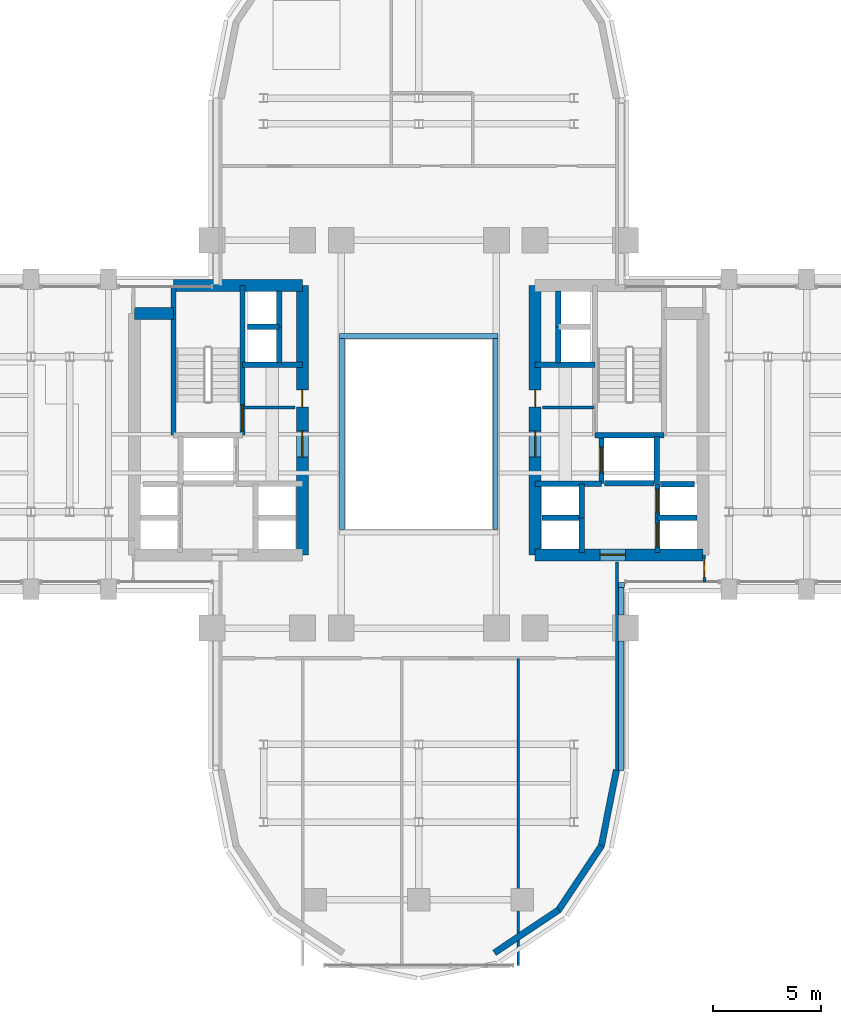
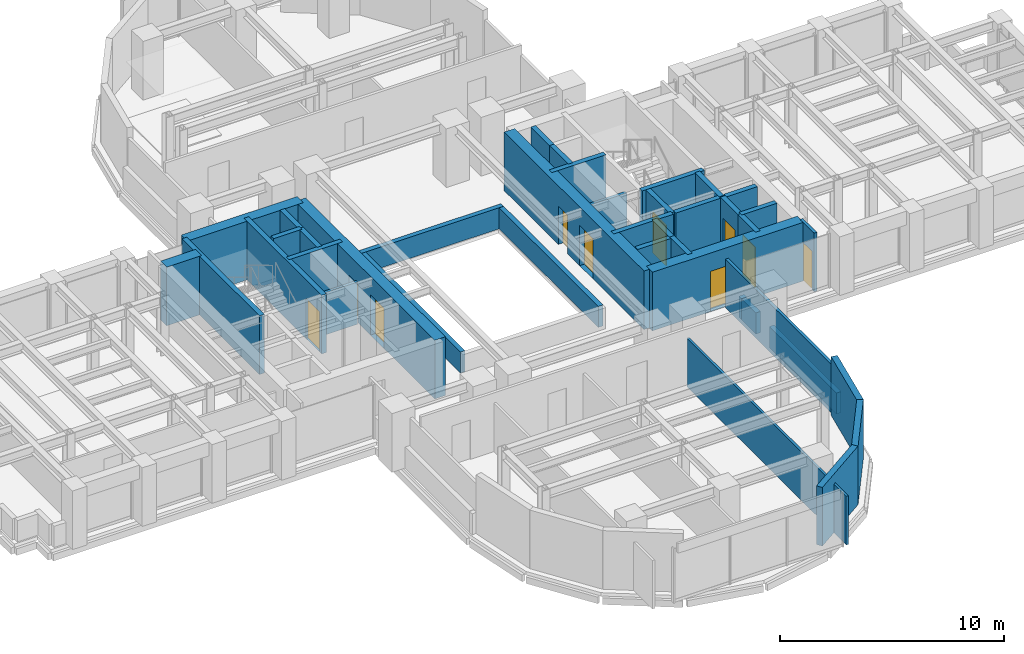
# One storey, part 11 of 16: 40 walls, 10 doors, 10 openings.
"""IFC4 building model written with IfcOpenShell, lengths in metres."""

from ifc_helpers import new_model, si_unit, direction, frame, frame_2d, origin, place, context, subcontext, project, spatial, rectangle, extrude, source, transform, mapped, material, layer, layer_set, type_object, element, fill, save


model = new_model("IFC4")

# Units and contexts
model_context = context("Model", 3, precision=1e-05, world=origin(), true_north=direction((0.0, 1.0)))
body_context = subcontext(model_context, "Body", "Model", "MODEL_VIEW")
ifc_project = project(units=[si_unit("LENGTHUNIT", "METRE"), si_unit("AREAUNIT", "SQUARE_METRE"), si_unit("VOLUMEUNIT", "CUBIC_METRE"), si_unit("PLANEANGLEUNIT", "RADIAN"), si_unit("MASSUNIT", "GRAM", prefix="KILO")], contexts=[model_context])

# Site, building, storey
site_placement = place(None, origin())
site = spatial("IfcSite", under=ifc_project, at=site_placement, CompositionType="ELEMENT")
building_placement = place(site_placement, origin())
building = spatial("IfcBuilding", under=site, at=building_placement, Name="Keilestroom Media Tower", CompositionType="ELEMENT")
storey_placement = place(building_placement, frame((0.0, 0.0, 71.39990234375)))
storey = spatial("IfcBuildingStorey", under=building, at=storey_placement, Name="L18", CompositionType="ELEMENT", Elevation=71.39990234375)

# Walls
ifc_material_1 = material(Name="Precast concrete C40/50", Category="concrete")
ifc_layer_1 = layer(ifc_material_1, 0.300048828125)
ifc_layer_set_1 = layer_set([ifc_layer_1], Name="Precast concrete C40/50")
wall_type_1 = type_object("IfcWallType", Name="Exterior-Masonry-Spandrel-Wall-300", PredefinedType="SOLIDWALL", material=ifc_layer_set_1)
wall_1_placement = place(storey_placement, frame((3.510009765625, -24.073486328125, 0.0), z_axis=(0.0, 0.0, 1.0), x_axis=(0.8314749531, 0.555562239868, 0.0)))
element("IfcWall", 1, at=wall_1_placement, inside=storey, type_object=wall_type_1, Name="L18 Lobe Facet Precast Frame Wall 10", PredefinedType="SOLIDWALL", context=body_context, shape_type="SweptSolid", body=[
    extrude(rectangle(XDim=3.59326171875, YDim=0.300048828125, at=frame_2d((1.796630859375, 0.0))), origin(), (0.0, 0.0, 1.0), 3.2001953125),
])
for number, where, z_axis, x_axis, name in (
    (2, (6.47705078125, -22.097900390625, 0.0), (0.0, 0.0, 1.0), (0.555574187116, 0.831466970246, 0.0), "L18 Lobe Facet Precast Frame Wall 11"),
    (3, (8.470703125, -19.12451171875, 0.0), (0.0, 0.0, 1.0), (0.195114232679, 0.980780523974, 0.0), "L18 Lobe Facet Precast Frame Wall 12"),
):
    element("IfcWall", number, at=place(storey_placement, frame(where, z_axis=z_axis, x_axis=x_axis)), inside=storey, type_object=wall_type_1, Name=name, PredefinedType="SOLIDWALL", context=body_context, shape_type="SweptSolid", body=[
        extrude(rectangle(XDim=3.608642578125, YDim=0.300048828125, at=frame_2d((1.80419921875, 0.0))), origin(), (0.0, 0.0, 1.0), 3.2001953125),
    ])
ifc_material_2 = material(Name="Gypsum Plasterboard & Steel Stud", Category="steel")
ifc_layer_2 = layer(ifc_material_2, 0.1201171875)
ifc_layer_set_2 = layer_set([ifc_layer_2], Name="Gypsum Plasterboard & Steel Stud")
wall_type_2 = type_object("IfcWallType", Name="Interior-Partition-Wall-120", PredefinedType="PARTITIONING", material=ifc_layer_set_2)
wall_2_placement = place(storey_placement, frame((4.6201171875, -24.64990234375, 0.0), z_axis=(0.0, 0.0, 1.0), x_axis=(0.0, 1.0, 0.0)))
element("IfcWall", 4, at=wall_2_placement, inside=storey, type_object=wall_type_2, Name="L18 Interior Wall WP-L18-SL-QV3", PredefinedType="PARTITIONING", context=body_context, shape_type="SweptSolid", body=[
    extrude(rectangle(XDim=14.25, YDim=0.1201171875, at=frame_2d((7.125, 0.0))), origin(), (0.0, 0.0, 1.0), 2.650146484375),
])
ifc_layer_3 = layer(ifc_material_2, 0.14990234375)
ifc_layer_set_3 = layer_set([ifc_layer_3], Name="Gypsum Plasterboard & Steel Stud")
wall_type_3 = type_object("IfcWallType", Name="Interior-Partition-Wall-150", PredefinedType="PARTITIONING", material=ifc_layer_set_3)
for number, where, z_axis, x_axis, name in (
    (5, (-8.139892578125, 1.239990234375, 0.0), (0.0, 0.0, 1.0), (1.0, 0.0, 0.0), "L18 Interior Wall WP-L18-FFW-TOP"),
    (6, (5.75, 1.239990234375, 0.0), (0.0, 0.0, 1.0), (1.0, 0.0, 0.0), "L18 Interior Wall WP-L18-FFE-TOP"),
):
    element("IfcWall", number, at=place(storey_placement, frame(where, z_axis=z_axis, x_axis=x_axis)), inside=storey, type_object=wall_type_3, Name=name, PredefinedType="PARTITIONING", context=body_context, shape_type="SweptSolid", body=[
        extrude(rectangle(XDim=2.389892578125, YDim=0.14990234375, at=frame_2d((1.19482421875, 0.0))), origin(), (0.0, 0.0, 1.0), 2.300048828125),
    ])
wall_3_placement = place(storey_placement, frame((9.199951171875, -15.679931640625, 0.0), z_axis=(0.0, 0.0, 1.0), x_axis=(0.0, 1.0, 0.0)))
element("IfcWall", 7, at=wall_3_placement, inside=storey, type_object=wall_type_3, Name="L18 Interior Wall WP-L18-SL-CHKE", PredefinedType="PARTITIONING", context=body_context, shape_type="SweptSolid", body=[
    extrude(rectangle(XDim=9.739990234375, YDim=0.14990234375, at=frame_2d((4.8701171875, 0.0))), origin(), (0.0, 0.0, 1.0), 2.650146484375),
])

# Wall, opening, door
wall_4_placement = place(storey_placement, frame((13.260009765625, -6.85009765625, 0.0), z_axis=(0.0, 0.0, 1.0), x_axis=(-0.016013571389, 0.999871774545, 0.0)))
wall_4 = element("IfcWall", 8, at=wall_4_placement, inside=storey, type_object=wall_type_3, Name="L18 Interior Wall WP-L18-EA-ENTS", PredefinedType="PARTITIONING", context=body_context, shape_type="SweptSolid", body=[
    extrude(rectangle(XDim=1.250244140625, YDim=0.14990234375, at=frame_2d((0.625, 0.0))), origin(), (0.0, 0.0, 1.0), 3.2001953125),
])
opening_1_placement = place(wall_4_placement, frame((0.199951171875, 0.0, 0.0)))
opening_1 = element("IfcOpeningElement", 9, at=opening_1_placement, cuts=wall_4, Name="Opening DI-05", PredefinedType="OPENING", context=body_context, shape_type="SweptSolid", body=[
    extrude(rectangle(XDim=0.85009765625, YDim=2.10009765625, at=frame_2d((0.425048828125, 1.050048828125))), frame((0.0, 0.0849609375, 0.0), z_axis=(0.0, -1.0, 0.0), x_axis=(1.0, 0.0, 0.0)), (0.0, 0.0, 1.0), 0.169921875),
])
ifc_material_3 = material(Name="Moisture-Resistant Oak Leaf", Category="wood")
door_type_1 = type_object("IfcDoorType", Name="Interior-En-Suite-And-Cupboard-Door-DI-05", OperationType="NOTDEFINED", PredefinedType="DOOR", material=ifc_material_3)
shared_shape_1 = source(origin(), body_context, "Body", "SweptSolid", [
    extrude(rectangle(XDim=0.85009765625, YDim=2.10009765625, at=frame_2d((0.425048828125, 1.050048828125))), frame((0.0, 0.02490234375, 0.0), z_axis=(0.0, -1.0, 0.0), x_axis=(1.0, 0.0, 0.0)), (0.0, 0.0, 1.0), 0.050048828125),
])
door_1_placement = place(opening_1_placement, origin())
door_1 = element("IfcDoor", 10, at=door_1_placement, inside=storey, type_object=door_type_1, Name="L18 Interior Door DI-L18-DEA-S", OperationType="SINGLE_SWING_LEFT", OverallHeight=2.10009765625, OverallWidth=0.85009765625, PredefinedType="DOOR", context=body_context, shape_type="MappedRepresentation", body=[
    mapped(shared_shape_1, transform((0.0, 0.0, 0.0), x_axis=(1.0, 0.0, 0.0), y_axis=(0.0, 1.0, 0.0), z_axis=(0.0, 0.0, 1.0), scale=1.0)),
])
fill(opening_1, door_1)

# Wall, openings, doors
ifc_material_4 = material(Name="Concrete C70/85", Category="concrete")
ifc_layer_4 = layer(ifc_material_4, 0.550048828125)
ifc_layer_set_4 = layer_set([ifc_layer_4], Name="Concrete C70/85")
wall_type_4 = type_object("IfcWallType", Name="Reinforced-Concrete-Core-Shear-Wall-550", PredefinedType="SHEAR", material=ifc_layer_set_4)
wall_5_placement = place(storey_placement, frame((-5.39990234375, -5.60009765625, 0.0), z_axis=(0.0, 0.0, 1.0), x_axis=(0.0, 1.0, 0.0)))
wall_5 = element("IfcWall", 11, at=wall_5_placement, inside=storey, type_object=wall_type_4, Name="L18 Core Shear Wall WL-L18-CORE-W-IN", PredefinedType="SHEAR", context=body_context, shape_type="SweptSolid", body=[
    extrude(rectangle(XDim=12.5, YDim=0.550048828125, at=frame_2d((6.25, 0.0))), origin(), (0.0, 0.0, 1.0), 3.2001953125),
])
opening_2_placement = place(wall_5_placement, frame((4.550048828125, 0.0, 0.0)))
opening_2 = element("IfcOpeningElement", 12, at=opening_2_placement, cuts=wall_5, Name="Opening DI-02", PredefinedType="OPENING", context=body_context, shape_type="SweptSolid", body=[
    extrude(rectangle(XDim=1.199951171875, YDim=2.199951171875, at=frame_2d((0.60009765625, 1.10009765625))), frame((0.0, 0.28515625, 0.0), z_axis=(0.0, -1.0, 0.0), x_axis=(1.0, 0.0, 0.0)), (0.0, 0.0, 1.0), 0.570068359375),
])
opening_3_placement = place(wall_5_placement, frame((6.860107421875, 0.0, 0.0)))
opening_3 = element("IfcOpeningElement", 13, at=opening_3_placement, cuts=wall_5, Name="Opening DI-06", PredefinedType="OPENING", context=body_context, shape_type="SweptSolid", body=[
    extrude(rectangle(XDim=0.800048828125, YDim=2.10009765625, at=frame_2d((0.39990234375, 1.050048828125))), frame((0.0, 0.28515625, 0.0), z_axis=(0.0, -1.0, 0.0), x_axis=(1.0, 0.0, 0.0)), (0.0, 0.0, 1.0), 0.570068359375),
])
ifc_material_5 = material(Name="Powder-Coated Steel Fire Leaf", Category="steel")
door_type_2 = type_object("IfcDoorType", Name="Interior-Compartment-Fire-Door-DI-02", OperationType="NOTDEFINED", PredefinedType="DOOR", material=ifc_material_5)
shared_shape_2 = source(origin(), body_context, "Body", "SweptSolid", [
    extrude(rectangle(XDim=1.199951171875, YDim=2.199951171875, at=frame_2d((0.60009765625, 1.10009765625))), frame((0.0, 0.02490234375, 0.0), z_axis=(0.0, -1.0, 0.0), x_axis=(1.0, 0.0, 0.0)), (0.0, 0.0, 1.0), 0.050048828125),
])
door_2_placement = place(opening_2_placement, origin())
door_2 = element("IfcDoor", 14, at=door_2_placement, inside=storey, type_object=door_type_2, Name="L18 W Firefighting Lobby Door", OperationType="SINGLE_SWING_RIGHT", OverallHeight=2.199951171875, OverallWidth=1.199951171875, PredefinedType="DOOR", context=body_context, shape_type="MappedRepresentation", body=[
    mapped(shared_shape_2, transform((0.0, 0.0, 0.0), x_axis=(1.0, 0.0, 0.0), y_axis=(0.0, 1.0, 0.0), z_axis=(0.0, 0.0, 1.0), scale=1.0)),
])
fill(opening_2, door_2)
ifc_material_6 = material(Name="Powder-Coated Steel Service Leaf", Category="steel")
door_type_3 = type_object("IfcDoorType", Name="Interior-Riser-Access-Door-DI-06", OperationType="NOTDEFINED", PredefinedType="DOOR", material=ifc_material_6)
shared_shape_3 = source(origin(), body_context, "Body", "SweptSolid", [
    extrude(rectangle(XDim=0.800048828125, YDim=2.10009765625, at=frame_2d((0.39990234375, 1.050048828125))), frame((0.0, 0.02490234375, 0.0), z_axis=(0.0, -1.0, 0.0), x_axis=(1.0, 0.0, 0.0)), (0.0, 0.0, 1.0), 0.050048828125),
])
door_3_placement = place(opening_3_placement, origin())
door_3 = element("IfcDoor", 15, at=door_3_placement, inside=storey, type_object=door_type_3, Name="L18 West Core Switchroom Door", OperationType="SINGLE_SWING_LEFT", OverallHeight=2.10009765625, OverallWidth=0.800048828125, PredefinedType="DOOR", context=body_context, shape_type="MappedRepresentation", body=[
    mapped(shared_shape_3, transform((0.0, 0.0, 0.0), x_axis=(1.0, 0.0, 0.0), y_axis=(0.0, 1.0, 0.0), z_axis=(0.0, 0.0, 1.0), scale=1.0)),
])
fill(opening_3, door_3)

# Walls
wall_6_placement = place(storey_placement, frame((-11.381103515625, 6.89990234375, 0.0), z_axis=(0.0, 0.0, 1.0), x_axis=(1.0, 0.0, 0.0)))
element("IfcWall", 16, at=wall_6_placement, inside=storey, type_object=wall_type_4, Name="L18 Core Shear Wall WL-L18-CORE-W-N", PredefinedType="SHEAR", context=body_context, shape_type="SweptSolid", body=[
    extrude(rectangle(XDim=5.981201171875, YDim=0.550048828125, at=frame_2d((2.99072265625, 0.0))), origin(), (0.0, 0.0, 1.0), 3.2001953125),
])
wall_7_placement = place(storey_placement, frame((-13.199951171875, 5.60009765625, 0.0), z_axis=(0.0, 0.0, 1.0), x_axis=(1.0, 0.0, 0.0)))
element("IfcWall", 17, at=wall_7_placement, inside=storey, type_object=wall_type_4, Name="L18 Core Shear Wall WL-L18-CNW-N", PredefinedType="SHEAR", context=body_context, shape_type="SweptSolid", body=[
    extrude(rectangle(XDim=1.81884765625, YDim=0.550048828125, at=frame_2d((0.909423828125, 0.0))), origin(), (0.0, 0.0, 1.0), 3.2001953125),
])

# Wall, openings, doors
wall_8_placement = place(storey_placement, frame((5.39990234375, -5.60009765625, 0.0), z_axis=(0.0, 0.0, 1.0), x_axis=(0.0, 1.0, 0.0)))
wall_8 = element("IfcWall", 18, at=wall_8_placement, inside=storey, type_object=wall_type_4, Name="L18 Core Shear Wall WL-L18-CORE-E-IN", PredefinedType="SHEAR", context=body_context, shape_type="SweptSolid", body=[
    extrude(rectangle(XDim=12.5, YDim=0.550048828125, at=frame_2d((6.25, 0.0))), origin(), (0.0, 0.0, 1.0), 3.2001953125),
])
opening_4_placement = place(wall_8_placement, frame((4.550048828125, 0.0, 0.0)))
opening_4 = element("IfcOpeningElement", 19, at=opening_4_placement, cuts=wall_8, Name="Opening DI-02", PredefinedType="OPENING", context=body_context, shape_type="SweptSolid", body=[
    extrude(rectangle(XDim=1.199951171875, YDim=2.199951171875, at=frame_2d((0.60009765625, 1.10009765625))), frame((0.0, 0.28515625, 0.0), z_axis=(0.0, -1.0, 0.0), x_axis=(1.0, 0.0, 0.0)), (0.0, 0.0, 1.0), 0.570068359375),
])
opening_5_placement = place(wall_8_placement, frame((6.860107421875, 0.0, 0.0)))
opening_5 = element("IfcOpeningElement", 20, at=opening_5_placement, cuts=wall_8, Name="Opening DI-06", PredefinedType="OPENING", context=body_context, shape_type="SweptSolid", body=[
    extrude(rectangle(XDim=0.800048828125, YDim=2.10009765625, at=frame_2d((0.39990234375, 1.050048828125))), frame((0.0, 0.28515625, 0.0), z_axis=(0.0, -1.0, 0.0), x_axis=(1.0, 0.0, 0.0)), (0.0, 0.0, 1.0), 0.570068359375),
])
door_4_placement = place(opening_4_placement, origin())
door_4 = element("IfcDoor", 21, at=door_4_placement, inside=storey, type_object=door_type_2, Name="L18 E Firefighting Lobby Door", OperationType="SINGLE_SWING_LEFT", OverallHeight=2.199951171875, OverallWidth=1.199951171875, PredefinedType="DOOR", context=body_context, shape_type="MappedRepresentation", body=[
    mapped(shared_shape_2, transform((0.0, 0.0, 0.0), x_axis=(1.0, 0.0, 0.0), y_axis=(0.0, 1.0, 0.0), z_axis=(0.0, 0.0, 1.0), scale=1.0)),
])
fill(opening_4, door_4)
door_5_placement = place(opening_5_placement, origin())
door_5 = element("IfcDoor", 22, at=door_5_placement, inside=storey, type_object=door_type_3, Name="L18 East Core Telecom Door", OperationType="SINGLE_SWING_RIGHT", OverallHeight=2.10009765625, OverallWidth=0.800048828125, PredefinedType="DOOR", context=body_context, shape_type="MappedRepresentation", body=[
    mapped(shared_shape_3, transform((0.0, 0.0, 0.0), x_axis=(1.0, 0.0, 0.0), y_axis=(0.0, 1.0, 0.0), z_axis=(0.0, 0.0, 1.0), scale=1.0)),
])
fill(opening_5, door_5)

# Wall, opening, door
wall_9_placement = place(storey_placement, frame((5.39990234375, -5.60009765625, 0.0), z_axis=(0.0, 0.0, 1.0), x_axis=(1.0, 0.0, 0.0)))
wall_9 = element("IfcWall", 23, at=wall_9_placement, inside=storey, type_object=wall_type_4, Name="L18 Core Shear Wall WL-L18-CORE-E-S", PredefinedType="SHEAR", context=body_context, shape_type="SweptSolid", body=[
    extrude(rectangle(XDim=7.800048828125, YDim=0.550048828125, at=frame_2d((3.89990234375, 0.0))), origin(), (0.0, 0.0, 1.0), 3.2001953125),
])
opening_6_placement = place(wall_9_placement, frame((3.0, 0.0, 0.0)))
opening_6 = element("IfcOpeningElement", 24, at=opening_6_placement, cuts=wall_9, Name="Opening DI-02", PredefinedType="OPENING", context=body_context, shape_type="SweptSolid", body=[
    extrude(rectangle(XDim=1.199951171875, YDim=2.199951171875, at=frame_2d((0.60009765625, 1.10009765625))), frame((0.0, 0.28515625, 0.0), z_axis=(0.0, -1.0, 0.0), x_axis=(1.0, 0.0, 0.0)), (0.0, 0.0, 1.0), 0.570068359375),
])
door_6_placement = place(opening_6_placement, origin())
door_6 = element("IfcDoor", 25, at=door_6_placement, inside=storey, type_object=door_type_2, Name="L18 E Passenger Lift Lobby Door", OperationType="SINGLE_SWING_RIGHT", OverallHeight=2.199951171875, OverallWidth=1.199951171875, PredefinedType="DOOR", context=body_context, shape_type="MappedRepresentation", body=[
    mapped(shared_shape_2, transform((0.0, 0.0, 0.0), x_axis=(1.0, 0.0, 0.0), y_axis=(0.0, 1.0, 0.0), z_axis=(0.0, 0.0, 1.0), scale=1.0)),
])
fill(opening_6, door_6)

# Wall
ifc_material_7 = material(Name="Concrete C50/60", Category="concrete")
ifc_layer_5 = layer(ifc_material_7, 0.25)
ifc_layer_set_5 = layer_set([ifc_layer_5], Name="Concrete C50/60")
wall_type_5 = type_object("IfcWallType", Name="Reinforced-Concrete-Shaft-Wall-250", PredefinedType="SOLIDWALL", material=ifc_layer_set_5)
wall_10_placement = place(storey_placement, frame((-8.179931640625, 3.219970703125, 0.0), z_axis=(0.0, 0.0, 1.0), x_axis=(1.0, 0.0, 0.0)))
element("IfcWall", 26, at=wall_10_placement, inside=storey, type_object=wall_type_5, Name="L18 Core Shear Wall WL-L18-CORE-W-FFN", PredefinedType="SOLIDWALL", context=body_context, shape_type="SweptSolid", body=[
    extrude(rectangle(XDim=2.780029296875, YDim=0.25, at=frame_2d((1.39013671875, 0.0))), origin(), (0.0, 0.0, 1.0), 3.2001953125),
])

# Wall, opening, door
wall_11_placement = place(storey_placement, frame((-8.178955078125, -0.041015625, 0.0), z_axis=(0.0, 0.0, 1.0), x_axis=(0.0, 1.0, 0.0)))
wall_11 = element("IfcWall", 27, at=wall_11_placement, inside=storey, type_object=wall_type_5, Name="L18 Core Shear Wall WL-L18-STW-W-NEAR", PredefinedType="SOLIDWALL", context=body_context, shape_type="SweptSolid", body=[
    extrude(rectangle(XDim=6.94091796875, YDim=0.25, at=frame_2d((3.470458984375, 0.0))), origin(), (0.0, 0.0, 1.0), 3.2001953125),
])
opening_7_placement = place(wall_11_placement, frame((0.199951171875, 0.0, 0.0)))
opening_7 = element("IfcOpeningElement", 28, at=opening_7_placement, cuts=wall_11, Name="Opening DI-01S", PredefinedType="OPENING", context=body_context, shape_type="SweptSolid", body=[
    extrude(rectangle(XDim=1.199951171875, YDim=2.199951171875, at=frame_2d((0.60009765625, 1.10009765625))), frame((0.0, 0.135009765625, 0.0), z_axis=(0.0, -1.0, 0.0), x_axis=(1.0, 0.0, 0.0)), (0.0, 0.0, 1.0), 0.27001953125),
])
door_type_4 = type_object("IfcDoorType", Name="Interior-Stair-And-Core-Fire-Door-DI-01", OperationType="NOTDEFINED", PredefinedType="DOOR", material=ifc_material_5)
door_7_placement = place(opening_7_placement, origin())
door_7 = element("IfcDoor", 29, at=door_7_placement, inside=storey, type_object=door_type_4, Name="L18 Escape Stair ST-1 Fire Door", OperationType="SINGLE_SWING_LEFT", OverallHeight=2.199951171875, OverallWidth=1.199951171875, PredefinedType="DOOR", context=body_context, shape_type="MappedRepresentation", body=[
    mapped(shared_shape_2, transform((0.0, 0.0, 0.0), x_axis=(1.0, 0.0, 0.0), y_axis=(0.0, 1.0, 0.0), z_axis=(0.0, 0.0, 1.0), scale=1.0)),
])
fill(opening_7, door_7)

# Walls
wall_12_placement = place(storey_placement, frame((-11.381103515625, -0.041015625, 0.0), z_axis=(0.0, 0.0, 1.0), x_axis=(0.0, 1.0, 0.0)))
element("IfcWall", 30, at=wall_12_placement, inside=storey, type_object=wall_type_5, Name="L18 Core Shear Wall WL-L18-STW-W-FAR", PredefinedType="SOLIDWALL", context=body_context, shape_type="SweptSolid", body=[
    extrude(rectangle(XDim=6.94091796875, YDim=0.25, at=frame_2d((3.470458984375, 0.0))), origin(), (0.0, 0.0, 1.0), 3.2001953125),
])
wall_13_placement = place(storey_placement, frame((5.39990234375, 3.219970703125, 0.0), z_axis=(0.0, 0.0, 1.0), x_axis=(1.0, 0.0, 0.0)))
element("IfcWall", 31, at=wall_13_placement, inside=storey, type_object=wall_type_5, Name="L18 Core Shear Wall WL-L18-CORE-E-FFN", PredefinedType="SOLIDWALL", context=body_context, shape_type="SweptSolid", body=[
    extrude(rectangle(XDim=2.780029296875, YDim=0.25, at=frame_2d((1.39013671875, 0.0))), origin(), (0.0, 0.0, 1.0), 3.2001953125),
])
wall_14_placement = place(storey_placement, frame((5.39990234375, -2.300048828125, 0.0), z_axis=(0.0, 0.0, 1.0), x_axis=(1.0, 0.0, 0.0)))
element("IfcWall", 32, at=wall_14_placement, inside=storey, type_object=wall_type_5, Name="L18 Core Shear Wall WL-L18-CORE-E-FFS", PredefinedType="SOLIDWALL", context=body_context, shape_type="SweptSolid", body=[
    extrude(rectangle(XDim=3.080078125, YDim=0.25, at=frame_2d((1.5400390625, 0.0))), origin(), (0.0, 0.0, 1.0), 3.2001953125),
])
wall_15_placement = place(storey_placement, frame((8.178955078125, -0.041015625, 0.0), z_axis=(0.0, 0.0, 1.0), x_axis=(1.0, 0.0, 0.0)))
element("IfcWall", 33, at=wall_15_placement, inside=storey, type_object=wall_type_5, Name="L18 Core Shear Wall WL-L18-STW-E-S", PredefinedType="SOLIDWALL", context=body_context, shape_type="SweptSolid", body=[
    extrude(rectangle(XDim=3.2021484375, YDim=0.25, at=frame_2d((1.60107421875, 0.0))), origin(), (0.0, 0.0, 1.0), 3.2001953125),
])

# Wall, opening, door
wall_16_placement = place(storey_placement, frame((8.47998046875, -2.280029296875, 0.0), z_axis=(0.0, 0.0, 1.0), x_axis=(0.0, 1.0, 0.0)))
wall_16 = element("IfcWall", 34, at=wall_16_placement, inside=storey, type_object=wall_type_5, Name="L18 Core Shear Wall WL-L18-LSH-FFL-2-W", PredefinedType="SOLIDWALL", context=body_context, shape_type="SweptSolid", body=[
    extrude(rectangle(XDim=2.179931640625, YDim=0.25, at=frame_2d((1.08984375, 0.0))), origin(), (0.0, 0.0, 1.0), 3.2001953125),
])
opening_8_placement = place(wall_16_placement, frame((0.489990234375, 0.0, 0.0)))
opening_8 = element("IfcOpeningElement", 35, at=opening_8_placement, cuts=wall_16, Name="Opening LD-02", PredefinedType="OPENING", context=body_context, shape_type="SweptSolid", body=[
    extrude(rectangle(XDim=1.199951171875, YDim=2.199951171875, at=frame_2d((0.60009765625, 1.10009765625))), frame((0.0, 0.135009765625, 0.0), z_axis=(0.0, -1.0, 0.0), x_axis=(1.0, 0.0, 0.0)), (0.0, 0.0, 1.0), 0.27001953125),
])
ifc_material_8 = material(Name="Brushed Stainless Steel Sliding Leaf", Category="steel")
door_type_5 = type_object("IfcDoorType", Name="Lift-Landing-Sliding-Door-LD-02", OperationType="SLIDING_TO_RIGHT", PredefinedType="DOOR", material=ifc_material_8)
door_8_placement = place(opening_8_placement, origin())
door_8 = element("IfcDoor", 36, at=door_8_placement, inside=storey, type_object=door_type_5, Name="L18 Lift FFL-2 Landing Sliding Door", OperationType="SLIDING_TO_RIGHT", OverallHeight=2.199951171875, OverallWidth=1.199951171875, PredefinedType="DOOR", context=body_context, shape_type="MappedRepresentation", body=[
    mapped(shared_shape_2, transform((0.0, 0.0, 0.0), x_axis=(1.0, 0.0, 0.0), y_axis=(0.0, 1.0, 0.0), z_axis=(0.0, 0.0, 1.0), scale=1.0)),
])
fill(opening_8, door_8)

# Walls
wall_17_placement = place(storey_placement, frame((11.050048828125, -2.280029296875, 0.0), z_axis=(0.0, 0.0, 1.0), x_axis=(0.0, 1.0, 0.0)))
element("IfcWall", 37, at=wall_17_placement, inside=storey, type_object=wall_type_5, Name="L18 Core Shear Wall WL-L18-LSH-FFL-2-E", PredefinedType="SOLIDWALL", context=body_context, shape_type="SweptSolid", body=[
    extrude(rectangle(XDim=2.179931640625, YDim=0.25, at=frame_2d((1.08984375, 0.0))), origin(), (0.0, 0.0, 1.0), 3.2001953125),
])
wall_18_placement = place(storey_placement, frame((8.60888671875, -2.280029296875, 0.0), z_axis=(0.0, 0.0, 1.0), x_axis=(1.0, 0.0, 0.0)))
element("IfcWall", 38, at=wall_18_placement, inside=storey, type_object=wall_type_5, Name="L18 Core Shear Wall WL-L18-LSH-FFL-2-S", PredefinedType="SOLIDWALL", context=body_context, shape_type="SweptSolid", body=[
    extrude(rectangle(XDim=2.31201171875, YDim=0.25, at=frame_2d((1.156005859375, 0.0))), origin(), (0.0, 0.0, 1.0), 3.2001953125),
])

# Wall, opening, door
wall_19_placement = place(storey_placement, frame((11.080078125, -5.47998046875, 0.0), z_axis=(0.0, 0.0, 1.0), x_axis=(0.0, 1.0, 0.0)))
wall_19 = element("IfcWall", 39, at=wall_19_placement, inside=storey, type_object=wall_type_5, Name="L18 Core Shear Wall WL-L18-LSH-PL-L3-W", PredefinedType="SOLIDWALL", context=body_context, shape_type="SweptSolid", body=[
    extrude(rectangle(XDim=1.60009765625, YDim=0.25, at=frame_2d((0.800048828125, 0.0))), origin(), (0.0, 0.0, 1.0), 3.2001953125),
])
opening_9_placement = place(wall_19_placement, frame((0.25, 0.0, 0.0)))
opening_9 = element("IfcOpeningElement", 40, at=opening_9_placement, cuts=wall_19, Name="Opening LD-01", PredefinedType="OPENING", context=body_context, shape_type="SweptSolid", body=[
    extrude(rectangle(XDim=1.10009765625, YDim=2.199951171875, at=frame_2d((0.550048828125, 1.10009765625))), frame((0.0, 0.135009765625, 0.0), z_axis=(0.0, -1.0, 0.0), x_axis=(1.0, 0.0, 0.0)), (0.0, 0.0, 1.0), 0.27001953125),
])
door_type_6 = type_object("IfcDoorType", Name="Lift-Landing-Sliding-Door-LD-01", OperationType="SLIDING_TO_LEFT", PredefinedType="DOOR", material=ifc_material_8)
shared_shape_4 = source(origin(), body_context, "Body", "SweptSolid", [
    extrude(rectangle(XDim=1.10009765625, YDim=2.199951171875, at=frame_2d((0.550048828125, 1.10009765625))), frame((0.0, 0.02490234375, 0.0), z_axis=(0.0, -1.0, 0.0), x_axis=(1.0, 0.0, 0.0)), (0.0, 0.0, 1.0), 0.050048828125),
])
door_9_placement = place(opening_9_placement, origin())
door_9 = element("IfcDoor", 41, at=door_9_placement, inside=storey, type_object=door_type_6, Name="L18 Lift PL-L3 Landing Sliding Door", OperationType="SLIDING_TO_LEFT", OverallHeight=2.199951171875, OverallWidth=1.10009765625, PredefinedType="DOOR", context=body_context, shape_type="MappedRepresentation", body=[
    mapped(shared_shape_4, transform((0.0, 0.0, 0.0), x_axis=(1.0, 0.0, 0.0), y_axis=(0.0, 1.0, 0.0), z_axis=(0.0, 0.0, 1.0), scale=1.0)),
])
fill(opening_9, door_9)

# Wall
wall_20_placement = place(storey_placement, frame((11.080078125, -3.8798828125, 0.0), z_axis=(0.0, 0.0, 1.0), x_axis=(1.0, 0.0, 0.0)))
element("IfcWall", 42, at=wall_20_placement, inside=storey, type_object=wall_type_5, Name="L18 Core Shear Wall WL-L18-LSH-PL-L3-N", PredefinedType="SOLIDWALL", context=body_context, shape_type="SweptSolid", body=[
    extrude(rectangle(XDim=1.83984375, YDim=0.25, at=frame_2d((0.919921875, 0.0))), origin(), (0.0, 0.0, 1.0), 3.2001953125),
])

# Wall, opening, door
wall_21_placement = place(storey_placement, frame((11.080078125, -3.8798828125, 0.0), z_axis=(0.0, 0.0, 1.0), x_axis=(0.0, 1.0, 0.0)))
wall_21 = element("IfcWall", 43, at=wall_21_placement, inside=storey, type_object=wall_type_5, Name="L18 Core Shear Wall WL-L18-LSH-PL-L4-W", PredefinedType="SOLIDWALL", context=body_context, shape_type="SweptSolid", body=[
    extrude(rectangle(XDim=1.559814453125, YDim=0.25, at=frame_2d((0.77978515625, 0.0))), origin(), (0.0, 0.0, 1.0), 3.2001953125),
])
opening_10_placement = place(wall_21_placement, frame((0.22998046875, 0.0, 0.0)))
opening_10 = element("IfcOpeningElement", 44, at=opening_10_placement, cuts=wall_21, Name="Opening LD-01", PredefinedType="OPENING", context=body_context, shape_type="SweptSolid", body=[
    extrude(rectangle(XDim=1.10009765625, YDim=2.199951171875, at=frame_2d((0.550048828125, 1.10009765625))), frame((0.0, 0.135009765625, 0.0), z_axis=(0.0, -1.0, 0.0), x_axis=(1.0, 0.0, 0.0)), (0.0, 0.0, 1.0), 0.27001953125),
])
door_10_placement = place(opening_10_placement, origin())
door_10 = element("IfcDoor", 45, at=door_10_placement, inside=storey, type_object=door_type_6, Name="L18 Lift PL-L4 Landing Sliding Door", OperationType="SLIDING_TO_LEFT", OverallHeight=2.199951171875, OverallWidth=1.10009765625, PredefinedType="DOOR", context=body_context, shape_type="MappedRepresentation", body=[
    mapped(shared_shape_4, transform((0.0, 0.0, 0.0), x_axis=(1.0, 0.0, 0.0), y_axis=(0.0, 1.0, 0.0), z_axis=(0.0, 0.0, 1.0), scale=1.0)),
])
fill(opening_10, door_10)

# Walls
wall_22_placement = place(storey_placement, frame((11.208984375, -2.320068359375, 0.0), z_axis=(0.0, 0.0, 1.0), x_axis=(1.0, 0.0, 0.0)))
element("IfcWall", 46, at=wall_22_placement, inside=storey, type_object=wall_type_5, Name="L18 Core Shear Wall WL-L18-LSH-PL-L4-N", PredefinedType="SOLIDWALL", context=body_context, shape_type="SweptSolid", body=[
    extrude(rectangle(XDim=1.58203125, YDim=0.25, at=frame_2d((0.791015625, 0.0))), origin(), (0.0, 0.0, 1.0), 3.2001953125),
])
wall_23_placement = place(storey_placement, frame((7.56005859375, -5.47998046875, 0.0), z_axis=(0.0, 0.0, 1.0), x_axis=(0.0, 1.0, 0.0)))
element("IfcWall", 47, at=wall_23_placement, inside=storey, type_object=wall_type_5, Name="L18 Core Shear Wall WL-L18-LSH-PL-M3-E", PredefinedType="SOLIDWALL", context=body_context, shape_type="SweptSolid", body=[
    extrude(rectangle(XDim=1.60009765625, YDim=0.25, at=frame_2d((0.800048828125, 0.0))), origin(), (0.0, 0.0, 1.0), 3.2001953125),
])
wall_24_placement = place(storey_placement, frame((5.719970703125, -3.8798828125, 0.0), z_axis=(0.0, 0.0, 1.0), x_axis=(1.0, 0.0, 0.0)))
element("IfcWall", 48, at=wall_24_placement, inside=storey, type_object=wall_type_5, Name="L18 Core Shear Wall WL-L18-LSH-PL-M3-N", PredefinedType="SOLIDWALL", context=body_context, shape_type="SweptSolid", body=[
    extrude(rectangle(XDim=1.840087890625, YDim=0.25, at=frame_2d((0.919921875, 0.0))), origin(), (0.0, 0.0, 1.0), 3.2001953125),
])
wall_25_placement = place(storey_placement, frame((7.56005859375, -3.8798828125, 0.0), z_axis=(0.0, 0.0, 1.0), x_axis=(0.0, 1.0, 0.0)))
element("IfcWall", 49, at=wall_25_placement, inside=storey, type_object=wall_type_5, Name="L18 Core Shear Wall WL-L18-LSH-PL-M4-E", PredefinedType="SOLIDWALL", context=body_context, shape_type="SweptSolid", body=[
    extrude(rectangle(XDim=1.559814453125, YDim=0.25, at=frame_2d((0.77978515625, 0.0))), origin(), (0.0, 0.0, 1.0), 3.2001953125),
])
wall_26_placement = place(storey_placement, frame((-6.47998046875, 3.300048828125, 0.0), z_axis=(0.0, 0.0, 1.0), x_axis=(0.0, 1.0, 0.0)))
element("IfcWall", 50, at=wall_26_placement, inside=storey, type_object=wall_type_5, Name="L18 Core Shear Wall WL-L18-LSH-PL-H1-E", PredefinedType="SOLIDWALL", context=body_context, shape_type="SweptSolid", body=[
    extrude(rectangle(XDim=1.679931640625, YDim=0.25, at=frame_2d((0.83984375, 0.0))), origin(), (0.0, 0.0, 1.0), 3.2001953125),
])
wall_27_placement = place(storey_placement, frame((-7.949951171875, 4.97998046875, 0.0), z_axis=(0.0, 0.0, 1.0), x_axis=(1.0, 0.0, 0.0)))
element("IfcWall", 51, at=wall_27_placement, inside=storey, type_object=wall_type_5, Name="L18 Core Shear Wall WL-L18-LSH-PL-H1-N", PredefinedType="SOLIDWALL", context=body_context, shape_type="SweptSolid", body=[
    extrude(rectangle(XDim=1.469970703125, YDim=0.25, at=frame_2d((0.73486328125, 0.0))), origin(), (0.0, 0.0, 1.0), 3.2001953125),
])
wall_28_placement = place(storey_placement, frame((-6.47998046875, 4.97998046875, 0.0), z_axis=(0.0, 0.0, 1.0), x_axis=(0.0, 1.0, 0.0)))
element("IfcWall", 52, at=wall_28_placement, inside=storey, type_object=wall_type_5, Name="L18 Core Shear Wall WL-L18-LSH-PL-H2-E", PredefinedType="SOLIDWALL", context=body_context, shape_type="SweptSolid", body=[
    extrude(rectangle(XDim=1.669921875, YDim=0.25, at=frame_2d((0.8349609375, 0.0))), origin(), (0.0, 0.0, 1.0), 3.2001953125),
])
wall_29_placement = place(storey_placement, frame((6.47998046875, 3.300048828125, 0.0), z_axis=(0.0, 0.0, 1.0), x_axis=(0.0, 1.0, 0.0)))
element("IfcWall", 53, at=wall_29_placement, inside=storey, type_object=wall_type_5, Name="L18 Core Shear Wall WL-L18-LSH-PL-H3-W", PredefinedType="SOLIDWALL", context=body_context, shape_type="SweptSolid", body=[
    extrude(rectangle(XDim=1.679931640625, YDim=0.25, at=frame_2d((0.83984375, 0.0))), origin(), (0.0, 0.0, 1.0), 3.2001953125),
])
wall_30_placement = place(storey_placement, frame((6.47998046875, 4.97998046875, 0.0), z_axis=(0.0, 0.0, 1.0), x_axis=(0.0, 1.0, 0.0)))
element("IfcWall", 54, at=wall_30_placement, inside=storey, type_object=wall_type_5, Name="L18 Core Shear Wall WL-L18-LSH-PL-H4-W", PredefinedType="SOLIDWALL", context=body_context, shape_type="SweptSolid", body=[
    extrude(rectangle(XDim=1.669921875, YDim=0.25, at=frame_2d((0.8349609375, 0.0))), origin(), (0.0, 0.0, 1.0), 3.2001953125),
])
ifc_layer_6 = layer(ifc_material_1, 0.239990234375)
ifc_layer_set_6 = layer_set([ifc_layer_6], Name="Precast concrete C40/50")
wall_type_6 = type_object("IfcWallType", Name="Roof-And-Terrace-Parapet-Wall-240", PredefinedType="PARAPET", material=ifc_layer_set_6)
wall_31_placement = place(storey_placement, frame((9.547119140625, -7.0, 0.0), z_axis=(0.0, 0.0, 1.0), x_axis=(-1.0, 0.0, 0.0)))
element("IfcWall", 55, at=wall_31_placement, inside=storey, type_object=wall_type_6, Name="L18 Perimeter Edge Parapet Wall 06", PredefinedType="PARAPET", context=body_context, shape_type="SweptSolid", body=[
    extrude(rectangle(XDim=0.26904296875, YDim=0.239990234375, at=frame_2d((0.134521484375, 0.0))), origin(), (0.0, 0.0, 1.0), 1.150146484375),
])
wall_32_placement = place(storey_placement, frame((9.39990234375, -7.123046875, 0.0), z_axis=(0.0, 0.0, 1.0), x_axis=(0.0, -1.0, 0.0)))
element("IfcWall", 56, at=wall_32_placement, inside=storey, type_object=wall_type_6, Name="L18 Perimeter Edge Parapet Wall 07", PredefinedType="PARAPET", context=body_context, shape_type="SweptSolid", body=[
    extrude(rectangle(XDim=1.27392578125, YDim=0.239990234375, at=frame_2d((0.636962890625, 0.0))), origin(), (0.0, 0.0, 1.0), 1.150146484375),
])
wall_33_placement = place(storey_placement, frame((9.39990234375, -9.60302734375, 0.0), z_axis=(0.0, 0.0, 1.0), x_axis=(0.0, -1.0, 0.0)))
element("IfcWall", 57, at=wall_33_placement, inside=storey, type_object=wall_type_6, Name="L18 Perimeter Edge Parapet Wall 08", PredefinedType="PARAPET", context=body_context, shape_type="SweptSolid", body=[
    extrude(rectangle(XDim=5.999755859375, YDim=0.239990234375, at=frame_2d((3.0, 0.0))), origin(), (0.0, 0.0, 1.0), 1.150146484375),
])
wall_34_placement = place(storey_placement, frame((-3.679931640625, 4.56005859375, 0.0), z_axis=(0.0, 0.0, 1.0), x_axis=(1.0, 0.0, 0.0)))
element("IfcWall", 58, at=wall_34_placement, inside=storey, type_object=wall_type_6, Name="L18 Central Atrium Guard Parapet N", PredefinedType="PARAPET", context=body_context, shape_type="SweptSolid", body=[
    extrude(rectangle(XDim=7.35986328125, YDim=0.239990234375, at=frame_2d((3.679931640625, 0.0))), origin(), (0.0, 0.0, 1.0), 1.150146484375),
])
for number, where, z_axis, x_axis, name in (
    (59, (-3.56005859375, -4.43505859375, 0.0), (0.0, 0.0, 1.0), (0.0, 1.0, 0.0), "L18 Central Atrium Guard Parapet W"),
    (60, (3.56005859375, -4.43505859375, 0.0), (0.0, 0.0, 1.0), (0.0, 1.0, 0.0), "L18 Central Atrium Guard Parapet E"),
):
    element("IfcWall", number, at=place(storey_placement, frame(where, z_axis=z_axis, x_axis=x_axis)), inside=storey, type_object=wall_type_6, Name=name, PredefinedType="PARAPET", context=body_context, shape_type="SweptSolid", body=[
        extrude(rectangle(XDim=8.8701171875, YDim=0.239990234375, at=frame_2d((4.43505859375, 0.0))), origin(), (0.0, 0.0, 1.0), 1.150146484375),
    ])

save(model, "model.ifc")
